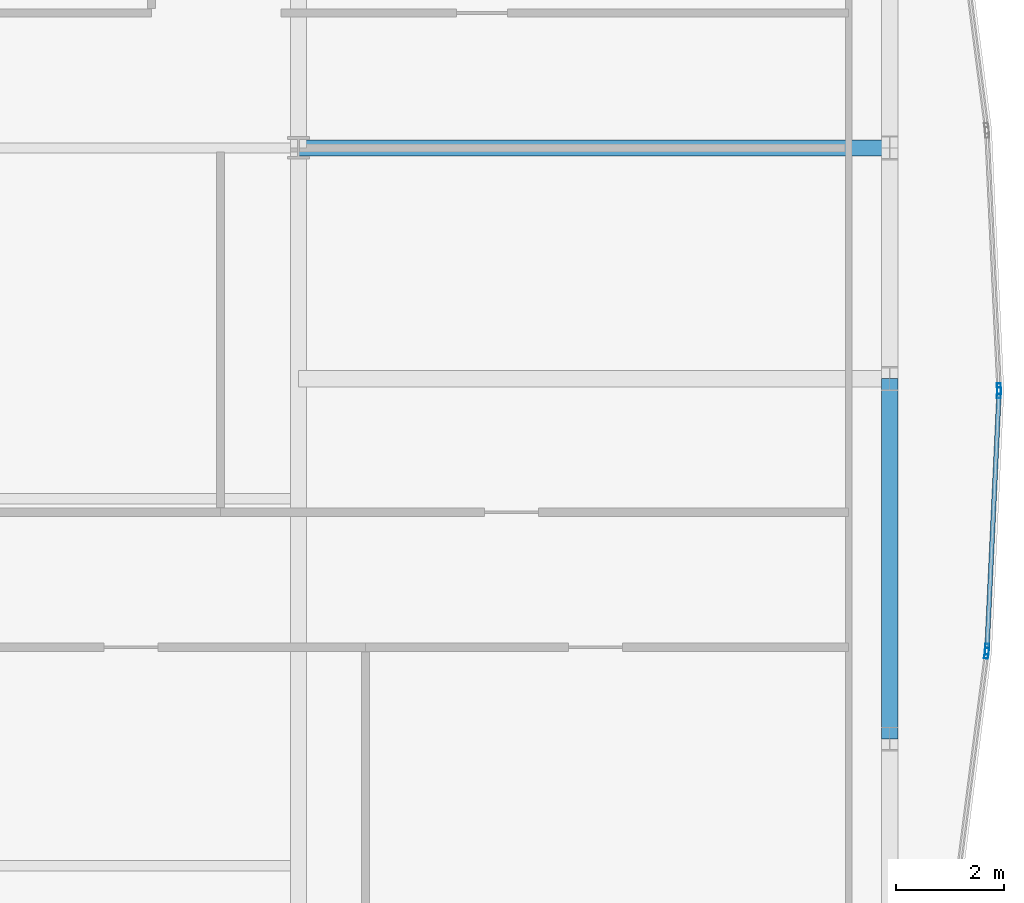
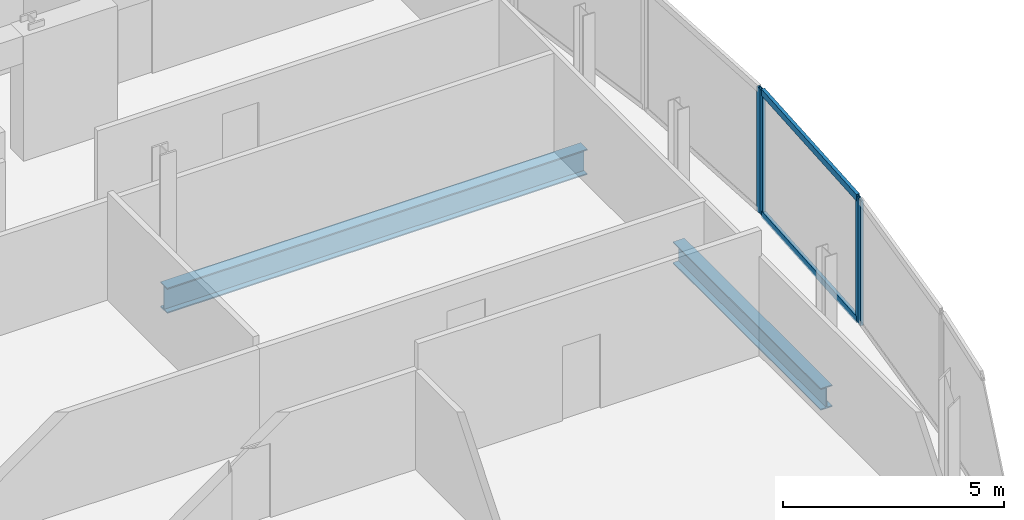
# One storey, part 18 of 30: 6 members, 2 beams, 3 elements without a shape of their own.
"""IFC4 building model written with IfcOpenShell, lengths in metres."""

from ifc_helpers import new_model, si_unit, direction, frame, origin, origin_2d, place, context, subcontext, project, spatial, hollow_rectangle, i_section, extrude, material, material_profile, profile_set, type_object, element, aggregate, save


model = new_model("IFC4")

# Units and contexts
model_context = context("Model", 3, precision=1e-05, world=origin(), true_north=direction((0.0, 1.0)))
body_context = subcontext(model_context, "Body", "Model", "MODEL_VIEW")
ifc_project = project(units=[si_unit("LENGTHUNIT", "METRE"), si_unit("AREAUNIT", "SQUARE_METRE"), si_unit("VOLUMEUNIT", "CUBIC_METRE"), si_unit("PLANEANGLEUNIT", "RADIAN"), si_unit("MASSUNIT", "GRAM", prefix="KILO")], contexts=[model_context])

# Site, building, storey
site_placement = place(None, origin())
site = spatial("IfcSite", under=ifc_project, at=site_placement, CompositionType="ELEMENT")
building_placement = place(site_placement, origin())
building = spatial("IfcBuilding", under=site, at=building_placement, Name="Khoronbel Lancet Exchange", CompositionType="ELEMENT")
storey_placement = place(building_placement, frame((0.0, 0.0, 203.0)))
storey = spatial("IfcBuildingStorey", under=building, at=storey_placement, Name="L51", CompositionType="ELEMENT", Elevation=203.0)

# Beams
ifc_material_1 = material(Name="Steel S355", Category="steel")
ifc_material_profile_1 = material_profile(ifc_material_1, i_section(OverallWidth=0.300048828125, OverallDepth=0.699951171875, WebThickness=0.01708984375, FlangeThickness=0.031982421875, at=origin_2d()), Name="HEB 700")
ifc_profile_set_1 = profile_set([ifc_material_profile_1], Name="Steel S355")
beam_type_1 = type_object("IfcBeamType", Name="BM-BG3", PredefinedType="BEAM", material=ifc_profile_set_1)
beam_1_placement = place(storey_placement, frame((54.675048828125, 35.699951171875, -0.510009765625), z_axis=(1.0, 0.0, 0.0), x_axis=(0.0, 1.0, 0.0)))
element("IfcBeam", 1, at=beam_1_placement, inside=storey, type_object=beam_type_1, Name="Level L51 east lens tie girder LG4E", PredefinedType="BEAM", context=body_context, shape_type="SweptSolid", body=[
    extrude(i_section(OverallWidth=0.300048828125, OverallDepth=0.699951171875, WebThickness=0.01708984375, FlangeThickness=0.031982421875, at=origin_2d()), origin(), (0.0, 0.0, 1.0), 10.954833984375),
])
ifc_material_profile_2 = material_profile(ifc_material_1, i_section(OverallWidth=0.300048828125, OverallDepth=0.60009765625, WebThickness=0.015380859375, FlangeThickness=0.030029296875, at=origin_2d()), Name="HEB 600")
ifc_profile_set_2 = profile_set([ifc_material_profile_2], Name="Steel S355")
beam_type_2 = type_object("IfcBeamType", Name="BM-BSP2", PredefinedType="SPANDREL", material=ifc_profile_set_2)
beam_2_placement = place(storey_placement, frame((65.6298828125, 24.75, -0.4599609375), z_axis=(0.0, 1.0, 0.0), x_axis=(-1.0, 0.0, 0.0)))
element("IfcBeam", 2, at=beam_2_placement, inside=storey, type_object=beam_type_2, Name="Level L51 perimeter spandrel beam SP12", PredefinedType="SPANDREL", context=body_context, shape_type="SweptSolid", body=[
    extrude(i_section(OverallWidth=0.300048828125, OverallDepth=0.60009765625, WebThickness=0.015380859375, FlangeThickness=0.030029296875, at=origin_2d()), origin(), (0.0, 0.0, 1.0), 6.675048828125),
])

# Curtain wall, member
ifc_material_2 = material(Name="Low-E Solar Control Insulating Glass", Category="glass")
curtain_wall_type = type_object("IfcCurtainWallType", Name="CW-4", PredefinedType="NOTDEFINED", material=ifc_material_2)
curtain_wall_1_placement = place(storey_placement, origin())
curtain_wall_1 = element("IfcCurtainWall", 3, at=curtain_wall_1_placement, inside=storey, type_object=curtain_wall_type, Name="Unitised curtain wall CW-L51-E19", PredefinedType="NOTDEFINED")
ifc_material_3 = material(Name="Bronze-Anodised Aluminium 6063-T6", Category="aluminium")
ifc_material_profile_3 = material_profile(ifc_material_3, hollow_rectangle(XDim=0.074951171875, YDim=0.199951171875, WallThickness=0.0048828125, at=origin_2d()), Name="ALU MULLION 75x200")
ifc_profile_set_3 = profile_set([ifc_material_profile_3], Name="Bronze-Anodised Aluminium 6063-T6")
member_type_1 = type_object("IfcMemberType", Name="MEM-CWM2", PredefinedType="MULLION", material=ifc_profile_set_3)
member_1_placement = place(storey_placement, frame((67.65478515625, 31.237548828125, 0.0), z_axis=(0.0, 0.0, 1.0), x_axis=(0.998896295296, 0.046970110118, 0.0)))
member_1 = element("IfcMember", 4, at=member_1_placement, type_object=member_type_1, Name="CW4 mullion 2", PredefinedType="MULLION", context=body_context, shape_type="SweptSolid", body=[
    extrude(hollow_rectangle(XDim=0.074951171875, YDim=0.199951171875, WallThickness=0.0048828125, at=origin_2d()), origin(), (0.0, 0.0, 1.0), 3.43994140625),
])
aggregate(curtain_wall_1, [member_1])

# Curtain wall, members
curtain_wall_2_placement = place(storey_placement, origin())
curtain_wall_2 = element("IfcCurtainWall", 5, at=curtain_wall_2_placement, inside=storey, type_object=curtain_wall_type, Name="Unitised curtain wall CW-L51-E20", PredefinedType="NOTDEFINED")
member_2_placement = place(storey_placement, frame((67.65478515625, 31.16259765625, 0.0), z_axis=(0.0, 0.0, 1.0), x_axis=(0.998896295296, -0.046970110118, 0.0)))
member_2 = element("IfcMember", 6, at=member_2_placement, type_object=member_type_1, Name="CW4 mullion 1", PredefinedType="MULLION", context=body_context, shape_type="SweptSolid", body=[
    extrude(hollow_rectangle(XDim=0.074951171875, YDim=0.199951171875, WallThickness=0.0048828125, at=origin_2d()), origin(), (0.0, 0.0, 1.0), 3.43994140625),
])
member_3_placement = place(storey_placement, frame((67.431396484375, 26.412109375, 0.0), z_axis=(0.0, 0.0, 1.0), x_axis=(0.998896295296, -0.046970110118, 0.0)))
member_3 = element("IfcMember", 7, at=member_3_placement, type_object=member_type_1, Name="CW4 mullion 2", PredefinedType="MULLION", context=body_context, shape_type="SweptSolid", body=[
    extrude(hollow_rectangle(XDim=0.074951171875, YDim=0.199951171875, WallThickness=0.0048828125, at=origin_2d()), origin(), (0.0, 0.0, 1.0), 3.43994140625),
])

# Curtain wall, member
curtain_wall_3_placement = place(storey_placement, origin())
curtain_wall_3 = element("IfcCurtainWall", 8, at=curtain_wall_3_placement, inside=storey, type_object=curtain_wall_type, Name="Unitised curtain wall CW-L51-E21", PredefinedType="NOTDEFINED")
member_4_placement = place(storey_placement, frame((67.4248046875, 26.33740234375, 0.0), z_axis=(0.0, 0.0, 1.0), x_axis=(0.991846611095, -0.127437435866, 0.0)))
member_4 = element("IfcMember", 9, at=member_4_placement, type_object=member_type_1, Name="CW4 mullion 1", PredefinedType="MULLION", context=body_context, shape_type="SweptSolid", body=[
    extrude(hollow_rectangle(XDim=0.074951171875, YDim=0.199951171875, WallThickness=0.0048828125, at=origin_2d()), origin(), (0.0, 0.0, 1.0), 3.43994140625),
])
aggregate(curtain_wall_3, [member_4])

# Member
ifc_material_profile_4 = material_profile(ifc_material_3, hollow_rectangle(XDim=0.0849609375, YDim=0.179931640625, WallThickness=0.0048828125, at=origin_2d()), Name="ALU TRANSOM 85x180")
ifc_profile_set_4 = profile_set([ifc_material_profile_4], Name="Bronze-Anodised Aluminium 6063-T6")
member_type_2 = type_object("IfcMemberType", Name="MEM-CWT1", PredefinedType="USERDEFINED", material=ifc_profile_set_4)
member_5_placement = place(storey_placement, frame((67.653076171875, 31.125, 0.04248046875), z_axis=(-0.046995169969, -0.998895116616, 0.0), x_axis=(0.998895116616, -0.046995169969, 0.0)))
member_5 = element("IfcMember", 10, at=member_5_placement, type_object=member_type_2, Name="CW4 transom 1.1", ObjectType="TRANSOM", PredefinedType="USERDEFINED", context=body_context, shape_type="SweptSolid", body=[
    extrude(hollow_rectangle(XDim=0.0849609375, YDim=0.179931640625, WallThickness=0.0048828125, at=origin_2d()), origin(), (0.0, 0.0, 1.0), 4.6806640625),
])

member_6_placement = place(storey_placement, frame((67.653076171875, 31.125, 3.3974609375), z_axis=(-0.046995169969, -0.998895116616, 0.0), x_axis=(0.998895116616, -0.046995169969, 0.0)))
member_6 = element("IfcMember", 11, at=member_6_placement, type_object=member_type_2, Name="CW4 transom 1.2", ObjectType="TRANSOM", PredefinedType="USERDEFINED", context=body_context, shape_type="SweptSolid", body=[
    extrude(hollow_rectangle(XDim=0.0849609375, YDim=0.179931640625, WallThickness=0.0048828125, at=origin_2d()), origin(), (0.0, 0.0, 1.0), 4.6806640625),
])

aggregate(curtain_wall_2, [member_2, member_3, member_5, member_6])

save(model, "model.ifc")
